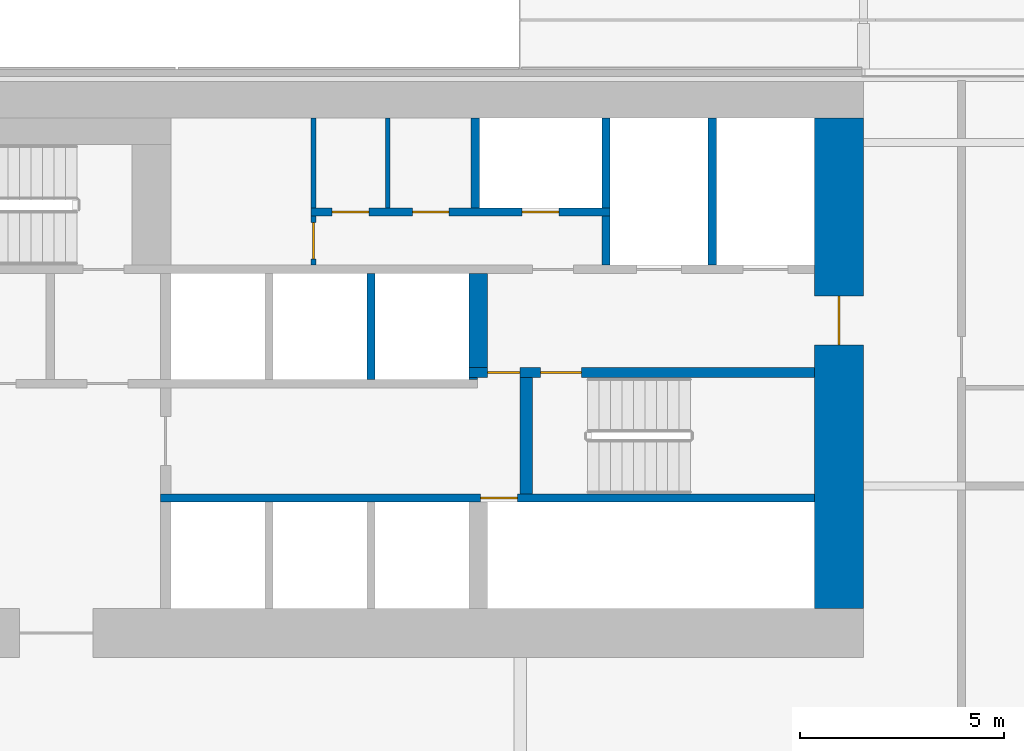
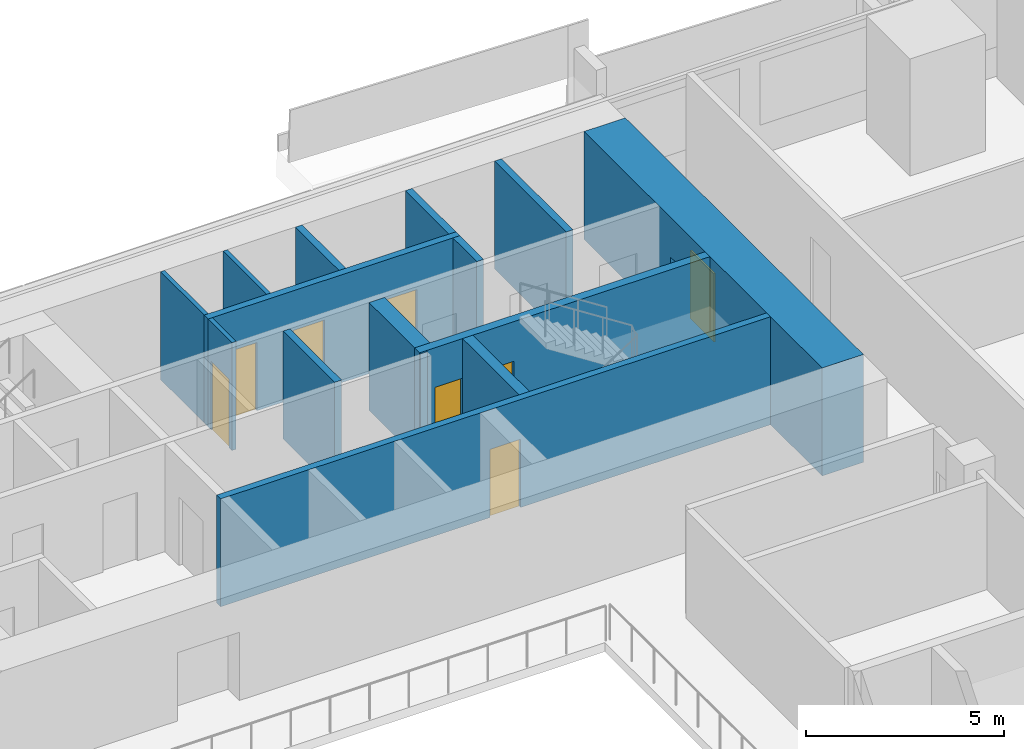
# One storey, part 22 of 29: 15 walls, 8 doors, 8 openings.
"""IFC4 building model written with IfcOpenShell, lengths in metres."""

from ifc_helpers import new_model, si_unit, direction, frame, frame_2d, origin, place, context, subcontext, project, spatial, rectangle, extrude, material, layer, layer_set, type_object, element, fill, save


model = new_model("IFC4")

# Units and contexts
model_context = context("Model", 3, precision=1e-05, world=origin(), true_north=direction((0.0, 1.0)))
body_context = subcontext(model_context, "Body", "Model", "MODEL_VIEW")
ifc_project = project(units=[si_unit("LENGTHUNIT", "METRE"), si_unit("AREAUNIT", "SQUARE_METRE"), si_unit("VOLUMEUNIT", "CUBIC_METRE"), si_unit("PLANEANGLEUNIT", "RADIAN"), si_unit("MASSUNIT", "GRAM", prefix="KILO")], contexts=[model_context])

# Site, building, storey
site_placement = place(None, origin())
site = spatial("IfcSite", under=ifc_project, at=site_placement, CompositionType="ELEMENT")
building_placement = place(site_placement, origin())
building = spatial("IfcBuilding", under=site, at=building_placement, Name="Saffron Gate Tower", CompositionType="ELEMENT")
storey_placement = place(building_placement, frame((0.0, 0.0, 58.800048828125)))
storey = spatial("IfcBuildingStorey", under=building, at=storey_placement, Name="L13", CompositionType="ELEMENT", Elevation=58.800048828125)

# Wall, opening, door
ifc_material_1 = material(Name="Concrete C70", Category="concrete")
ifc_layer_1 = layer(ifc_material_1, 1.199951171875)
ifc_layer_set_1 = layer_set([ifc_layer_1], Name="CW1 RC core wall 1200 C70")
wall_type_1 = type_object("IfcWallType", Name="CW1 RC core wall 1200 C70", PredefinedType="SOLIDWALL", material=ifc_layer_set_1)
wall_1_placement = place(storey_placement, frame((108.0, 62.39990234375, 0.0), z_axis=(0.0, 0.0, 1.0), x_axis=(0.0, 1.0, 0.0)))
wall_1 = element("IfcWall", 1, at=wall_1_placement, inside=storey, type_object=wall_type_1, Name="Wall CW1-L13-4", PredefinedType="SOLIDWALL", context=body_context, shape_type="SweptSolid", body=[
    extrude(rectangle(XDim=12.0, YDim=1.199951171875, at=frame_2d((6.0, 0.0))), origin(), (0.0, 0.0, 1.0), 3.320068359375),
])
opening_1_placement = place(wall_1_placement, frame((6.449951171875, 0.0, 0.0)))
opening_1 = element("IfcOpeningElement", 2, at=opening_1_placement, cuts=wall_1, Name="Opening CR-08", PredefinedType="OPENING", context=body_context, shape_type="SweptSolid", body=[
    extrude(rectangle(XDim=1.199951171875, YDim=2.10009765625, at=frame_2d((0.60009765625, 1.050048828125))), frame((0.0, 0.60986328125, 0.0), z_axis=(0.0, -1.0, 0.0), x_axis=(1.0, 0.0, 0.0)), (0.0, 0.0, 1.0), 1.219970703125),
])
ifc_material_2 = material(Name="Steel fire door set", Category="steel")
door_type_1 = type_object("IfcDoorType", Name="CD7 Core entrance door 1200x2100 EI 120", OperationType="NOTDEFINED", PredefinedType="DOOR", material=ifc_material_2)
door_1_placement = place(opening_1_placement, origin())
door_1 = element("IfcDoor", 3, at=door_1_placement, inside=storey, type_object=door_type_1, Name="DOOR CR-08", OperationType="SINGLE_SWING_RIGHT", OverallHeight=2.10009765625, OverallWidth=1.199951171875, PredefinedType="DOOR", context=body_context, shape_type="SweptSolid", body=[
    extrude(rectangle(XDim=1.199951171875, YDim=2.10009765625, at=frame_2d((0.60009765625, 1.050048828125))), frame((0.0, 0.02490234375, 0.0), z_axis=(0.0, -1.0, 0.0), x_axis=(1.0, 0.0, 0.0)), (0.0, 0.0, 1.0), 0.050048828125),
])
fill(opening_1, door_1)

# Wall, openings, doors
ifc_layer_2 = layer(ifc_material_1, 0.25)
ifc_layer_set_2 = layer_set([ifc_layer_2], Name="CW2 RC core wall 250 C70")
wall_type_2 = type_object("IfcWallType", Name="CW2 RC core wall 250 C70", PredefinedType="SOLIDWALL", material=ifc_layer_set_2)
wall_2_placement = place(storey_placement, frame((98.949951171875, 68.175048828125, 0.0), z_axis=(0.0, 0.0, 1.0), x_axis=(1.0, 0.0, 0.0)))
wall_2 = element("IfcWall", 4, at=wall_2_placement, inside=storey, type_object=wall_type_2, Name="Wall CW2-L13-31", PredefinedType="SOLIDWALL", context=body_context, shape_type="SweptSolid", body=[
    extrude(rectangle(XDim=8.449951171875, YDim=0.25, at=frame_2d((4.22509765625, 0.0))), origin(), (0.0, 0.0, 1.0), 3.320068359375),
])
opening_2_placement = place(wall_2_placement, frame((0.449951171875, 0.0, 0.0)))
opening_2 = element("IfcOpeningElement", 5, at=opening_2_placement, cuts=wall_2, Name="Opening CR-05", PredefinedType="OPENING", context=body_context, shape_type="SweptSolid", body=[
    extrude(rectangle(XDim=0.800048828125, YDim=2.10009765625, at=frame_2d((0.39990234375, 1.050048828125))), frame((0.0, 0.135009765625, 0.0), z_axis=(0.0, -1.0, 0.0), x_axis=(1.0, 0.0, 0.0)), (0.0, 0.0, 1.0), 0.27001953125),
])
opening_3_placement = place(wall_2_placement, frame((1.75, 0.0, 0.0)))
opening_3 = element("IfcOpeningElement", 6, at=opening_3_placement, cuts=wall_2, Name="Opening CR-16", PredefinedType="OPENING", context=body_context, shape_type="SweptSolid", body=[
    extrude(rectangle(XDim=1.0, YDim=2.10009765625, at=frame_2d((0.5, 1.050048828125))), frame((0.0, 0.135009765625, 0.0), z_axis=(0.0, -1.0, 0.0), x_axis=(1.0, 0.0, 0.0)), (0.0, 0.0, 1.0), 0.27001953125),
])
door_type_2 = type_object("IfcDoorType", Name="CD5 Stair door 1000x2100 EI 120", OperationType="NOTDEFINED", PredefinedType="DOOR", material=ifc_material_2)
door_2_placement = place(opening_3_placement, origin())
door_2 = element("IfcDoor", 7, at=door_2_placement, inside=storey, type_object=door_type_2, Name="DOOR CR-16", OperationType="SINGLE_SWING_RIGHT", OverallHeight=2.10009765625, OverallWidth=1.0, PredefinedType="DOOR", context=body_context, shape_type="SweptSolid", body=[
    extrude(rectangle(XDim=1.0, YDim=2.10009765625, at=frame_2d((0.5, 1.050048828125))), frame((0.0, 0.02490234375, 0.0), z_axis=(0.0, -1.0, 0.0), x_axis=(1.0, 0.0, 0.0)), (0.0, 0.0, 1.0), 0.050048828125),
])
fill(opening_3, door_2)
door_type_3 = type_object("IfcDoorType", Name="CD6 Lobby door 800x2100 EI 120", OperationType="NOTDEFINED", PredefinedType="DOOR", material=ifc_material_2)
door_3_placement = place(opening_2_placement, origin())
door_3 = element("IfcDoor", 8, at=door_3_placement, inside=storey, type_object=door_type_3, Name="DOOR CR-05", OperationType="SINGLE_SWING_LEFT", OverallHeight=2.10009765625, OverallWidth=0.800048828125, PredefinedType="DOOR", context=body_context, shape_type="SweptSolid", body=[
    extrude(rectangle(XDim=0.800048828125, YDim=2.10009765625, at=frame_2d((0.39990234375, 1.050048828125))), frame((0.0, 0.02490234375, 0.0), z_axis=(0.0, -1.0, 0.0), x_axis=(1.0, 0.0, 0.0)), (0.0, 0.0, 1.0), 0.050048828125),
])
fill(opening_2, door_3)

# Wall, opening, door
ifc_layer_3 = layer(ifc_material_1, 0.199951171875)
ifc_layer_set_3 = layer_set([ifc_layer_3], Name="CW3 RC core wall 200 C70")
wall_type_3 = type_object("IfcWallType", Name="CW3 RC core wall 200 C70", PredefinedType="SOLIDWALL", material=ifc_layer_set_3)
wall_3_placement = place(storey_placement, frame((91.39990234375, 65.10009765625, 0.0), z_axis=(0.0, 0.0, 1.0), x_axis=(1.0, 0.0, 0.0)))
wall_3 = element("IfcWall", 9, at=wall_3_placement, inside=storey, type_object=wall_type_3, Name="Wall CW3-L13-15", PredefinedType="SOLIDWALL", context=body_context, shape_type="SweptSolid", body=[
    extrude(rectangle(XDim=16.0, YDim=0.199951171875, at=frame_2d((8.0, 0.0))), origin(), (0.0, 0.0, 1.0), 3.320068359375),
])
opening_4_placement = place(wall_3_placement, frame((7.830078125, 0.0, 0.0)))
opening_4 = element("IfcOpeningElement", 10, at=opening_4_placement, cuts=wall_3, Name="Opening CR-48", PredefinedType="OPENING", context=body_context, shape_type="SweptSolid", body=[
    extrude(rectangle(XDim=0.89990234375, YDim=2.10009765625, at=frame_2d((0.449951171875, 1.050048828125))), frame((0.0, 0.10986328125, 0.0), z_axis=(0.0, -1.0, 0.0), x_axis=(1.0, 0.0, 0.0)), (0.0, 0.0, 1.0), 0.219970703125),
])
door_type_4 = type_object("IfcDoorType", Name="CD2 Riser door 900x2100 EI 60", OperationType="NOTDEFINED", PredefinedType="DOOR", material=ifc_material_2)
door_4_placement = place(opening_4_placement, origin())
door_4 = element("IfcDoor", 11, at=door_4_placement, inside=storey, type_object=door_type_4, Name="DOOR CR-48", OperationType="SINGLE_SWING_RIGHT", OverallHeight=2.10009765625, OverallWidth=0.89990234375, PredefinedType="DOOR", context=body_context, shape_type="SweptSolid", body=[
    extrude(rectangle(XDim=0.89990234375, YDim=2.10009765625, at=frame_2d((0.449951171875, 1.050048828125))), frame((0.0, 0.02490234375, 0.0), z_axis=(0.0, -1.0, 0.0), x_axis=(1.0, 0.0, 0.0)), (0.0, 0.0, 1.0), 0.050048828125),
])
fill(opening_4, door_4)

# Walls
wall_4_placement = place(storey_placement, frame((96.550048828125, 68.0, 0.0), z_axis=(0.0, 0.0, 1.0), x_axis=(0.0, 1.0, 0.0)))
element("IfcWall", 12, at=wall_4_placement, inside=storey, type_object=wall_type_3, Name="Wall CW3-L13-28", PredefinedType="SOLIDWALL", context=body_context, shape_type="SweptSolid", body=[
    extrude(rectangle(XDim=2.60009765625, YDim=0.199951171875, at=frame_2d((1.300048828125, 0.0))), origin(), (0.0, 0.0, 1.0), 3.320068359375),
])
wall_5_placement = place(storey_placement, frame((102.300048828125, 70.800048828125, 0.0), z_axis=(0.0, 0.0, 1.0), x_axis=(0.0, 1.0, 0.0)))
element("IfcWall", 13, at=wall_5_placement, inside=storey, type_object=wall_type_3, Name="Wall CW3-L13-41", PredefinedType="SOLIDWALL", context=body_context, shape_type="SweptSolid", body=[
    extrude(rectangle(XDim=1.199951171875, YDim=0.199951171875, at=frame_2d((0.60009765625, 0.0))), origin(), (0.0, 0.0, 1.0), 3.320068359375),
])
wall_6_placement = place(storey_placement, frame((104.89990234375, 70.800048828125, 0.0), z_axis=(0.0, 0.0, 1.0), x_axis=(0.0, 1.0, 0.0)))
element("IfcWall", 14, at=wall_6_placement, inside=storey, type_object=wall_type_3, Name="Wall CW3-L13-42", PredefinedType="SOLIDWALL", context=body_context, shape_type="SweptSolid", body=[
    extrude(rectangle(XDim=3.599853515625, YDim=0.199951171875, at=frame_2d((1.7998046875, 0.0))), origin(), (0.0, 0.0, 1.0), 3.320068359375),
])

# Wall, openings, doors
wall_7_placement = place(storey_placement, frame((95.080078125, 72.10009765625, 0.0), z_axis=(0.0, 0.0, 1.0), x_axis=(1.0, 0.0, 0.0)))
wall_7 = element("IfcWall", 15, at=wall_7_placement, inside=storey, type_object=wall_type_3, Name="Wall CW3-L13-44", PredefinedType="SOLIDWALL", context=body_context, shape_type="SweptSolid", body=[
    extrude(rectangle(XDim=7.31982421875, YDim=0.199951171875, at=frame_2d((3.659912109375, 0.0))), origin(), (0.0, 0.0, 1.0), 3.320068359375),
])
opening_5_placement = place(wall_7_placement, frame((0.52001953125, 0.0, 0.0)))
opening_5 = element("IfcOpeningElement", 16, at=opening_5_placement, cuts=wall_7, Name="Opening CR-50", PredefinedType="OPENING", context=body_context, shape_type="SweptSolid", body=[
    extrude(rectangle(XDim=0.89990234375, YDim=2.10009765625, at=frame_2d((0.449951171875, 1.050048828125))), frame((0.0, 0.10986328125, 0.0), z_axis=(0.0, -1.0, 0.0), x_axis=(1.0, 0.0, 0.0)), (0.0, 0.0, 1.0), 0.219970703125),
])
opening_6_placement = place(wall_7_placement, frame((2.47998046875, 0.0, 0.0)))
opening_6 = element("IfcOpeningElement", 17, at=opening_6_placement, cuts=wall_7, Name="Opening CR-53", PredefinedType="OPENING", context=body_context, shape_type="SweptSolid", body=[
    extrude(rectangle(XDim=0.89990234375, YDim=2.10009765625, at=frame_2d((0.449951171875, 1.050048828125))), frame((0.0, 0.10986328125, 0.0), z_axis=(0.0, -1.0, 0.0), x_axis=(1.0, 0.0, 0.0)), (0.0, 0.0, 1.0), 0.219970703125),
])
opening_7_placement = place(wall_7_placement, frame((5.169921875, 0.0, 0.0)))
opening_7 = element("IfcOpeningElement", 18, at=opening_7_placement, cuts=wall_7, Name="Opening CR-70", PredefinedType="OPENING", context=body_context, shape_type="SweptSolid", body=[
    extrude(rectangle(XDim=0.89990234375, YDim=2.10009765625, at=frame_2d((0.449951171875, 1.050048828125))), frame((0.0, 0.10986328125, 0.0), z_axis=(0.0, -1.0, 0.0), x_axis=(1.0, 0.0, 0.0)), (0.0, 0.0, 1.0), 0.219970703125),
])
door_5_placement = place(opening_7_placement, origin())
door_5 = element("IfcDoor", 19, at=door_5_placement, inside=storey, type_object=door_type_4, Name="DOOR CR-70", OperationType="SINGLE_SWING_LEFT", OverallHeight=2.10009765625, OverallWidth=0.89990234375, PredefinedType="DOOR", context=body_context, shape_type="SweptSolid", body=[
    extrude(rectangle(XDim=0.89990234375, YDim=2.10009765625, at=frame_2d((0.449951171875, 1.050048828125))), frame((0.0, 0.02490234375, 0.0), z_axis=(0.0, -1.0, 0.0), x_axis=(1.0, 0.0, 0.0)), (0.0, 0.0, 1.0), 0.050048828125),
])
fill(opening_7, door_5)
door_type_5 = type_object("IfcDoorType", Name="CD9 Room door 900x2100 EI 60", OperationType="NOTDEFINED", PredefinedType="DOOR", material=ifc_material_2)
door_6_placement = place(opening_5_placement, origin())
door_6 = element("IfcDoor", 20, at=door_6_placement, inside=storey, type_object=door_type_5, Name="DOOR CR-50", OperationType="SINGLE_SWING_LEFT", OverallHeight=2.10009765625, OverallWidth=0.89990234375, PredefinedType="DOOR", context=body_context, shape_type="SweptSolid", body=[
    extrude(rectangle(XDim=0.89990234375, YDim=2.10009765625, at=frame_2d((0.449951171875, 1.050048828125))), frame((0.0, 0.02490234375, 0.0), z_axis=(0.0, -1.0, 0.0), x_axis=(1.0, 0.0, 0.0)), (0.0, 0.0, 1.0), 0.050048828125),
])
fill(opening_5, door_6)
door_7_placement = place(opening_6_placement, origin())
door_7 = element("IfcDoor", 21, at=door_7_placement, inside=storey, type_object=door_type_5, Name="DOOR CR-53", OperationType="SINGLE_SWING_LEFT", OverallHeight=2.10009765625, OverallWidth=0.89990234375, PredefinedType="DOOR", context=body_context, shape_type="SweptSolid", body=[
    extrude(rectangle(XDim=0.89990234375, YDim=2.10009765625, at=frame_2d((0.449951171875, 1.050048828125))), frame((0.0, 0.02490234375, 0.0), z_axis=(0.0, -1.0, 0.0), x_axis=(1.0, 0.0, 0.0)), (0.0, 0.0, 1.0), 0.050048828125),
])
fill(opening_6, door_7)

# Walls
for number, where, z_axis, x_axis, name in (
    (22, (99.10009765625, 72.199951171875, 0.0), (0.0, 0.0, 1.0), (0.0, 1.0, 0.0), "Wall CW3-L13-51"),
    (23, (102.300048828125, 72.199951171875, 0.0), (0.0, 0.0, 1.0), (0.0, 1.0, 0.0), "Wall CW3-L13-52"),
):
    element("IfcWall", number, at=place(storey_placement, frame(where, z_axis=z_axis, x_axis=x_axis)), inside=storey, type_object=wall_type_3, Name=name, PredefinedType="SOLIDWALL", context=body_context, shape_type="SweptSolid", body=[
        extrude(rectangle(XDim=2.199951171875, YDim=0.199951171875, at=frame_2d((1.10009765625, 0.0))), origin(), (0.0, 0.0, 1.0), 3.320068359375),
    ])
ifc_layer_4 = layer(ifc_material_1, 0.449951171875)
ifc_layer_set_4 = layer_set([ifc_layer_4], Name="CW4 RC core wall 450 C70")
wall_type_4 = type_object("IfcWallType", Name="CW4 RC core wall 450 C70", PredefinedType="SOLIDWALL", material=ifc_layer_set_4)
wall_8_placement = place(storey_placement, frame((99.175048828125, 68.300048828125, 0.0), z_axis=(0.0, 0.0, 1.0), x_axis=(0.0, 1.0, 0.0)))
element("IfcWall", 24, at=wall_8_placement, inside=storey, type_object=wall_type_4, Name="Wall CW4-L13-33", PredefinedType="SOLIDWALL", context=body_context, shape_type="SweptSolid", body=[
    extrude(rectangle(XDim=2.300048828125, YDim=0.449951171875, at=frame_2d((1.14990234375, 0.0))), origin(), (0.0, 0.0, 1.0), 3.320068359375),
])
ifc_layer_5 = layer(ifc_material_1, 0.300048828125)
ifc_layer_set_5 = layer_set([ifc_layer_5], Name="CW5 RC core wall 300 C70")
wall_type_5 = type_object("IfcWallType", Name="CW5 RC core wall 300 C70", PredefinedType="SOLIDWALL", material=ifc_layer_set_5)
wall_9_placement = place(storey_placement, frame((100.35009765625, 65.199951171875, 0.0), z_axis=(0.0, 0.0, 1.0), x_axis=(0.0, 1.0, 0.0)))
element("IfcWall", 25, at=wall_9_placement, inside=storey, type_object=wall_type_5, Name="Wall CW5-L13-19", PredefinedType="SOLIDWALL", context=body_context, shape_type="SweptSolid", body=[
    extrude(rectangle(XDim=2.85009765625, YDim=0.300048828125, at=frame_2d((1.425048828125, 0.0))), origin(), (0.0, 0.0, 1.0), 3.320068359375),
])
ifc_layer_6 = layer(ifc_material_1, 0.050048828125)
ifc_layer_set_6 = layer_set([ifc_layer_6], Name="CW6 RC core wall 50 C70")
wall_type_6 = type_object("IfcWallType", Name="CW6 RC core wall 50 C70", PredefinedType="SOLIDWALL", material=ifc_layer_set_6)
wall_10_placement = place(storey_placement, frame((98.949951171875, 68.02490234375, 0.0), z_axis=(0.0, 0.0, 1.0), x_axis=(1.0, 0.0, 0.0)))
element("IfcWall", 26, at=wall_10_placement, inside=storey, type_object=wall_type_6, Name="Wall CW6-L13-29", PredefinedType="SOLIDWALL", context=body_context, shape_type="SweptSolid", body=[
    extrude(rectangle(XDim=0.199951171875, YDim=0.050048828125, at=frame_2d((0.10009765625, 0.0))), origin(), (0.0, 0.0, 1.0), 3.320068359375),
])

# Wall, opening, door
ifc_material_3 = material(Name="Gypsum board partition on steel studs", Category="steel")
ifc_layer_7 = layer(ifc_material_3, 0.1201171875)
ifc_layer_set_7 = layer_set([ifc_layer_7], Name="CW8 Core partition 120")
wall_type_7 = type_object("IfcWallType", Name="CW8 Core partition 120", PredefinedType="PARTITIONING", material=ifc_layer_set_7)
wall_11_placement = place(storey_placement, frame((95.139892578125, 70.800048828125, 0.0), z_axis=(0.0, 0.0, 1.0), x_axis=(0.0, 1.0, 0.0)))
wall_11 = element("IfcWall", 27, at=wall_11_placement, inside=storey, type_object=wall_type_7, Name="Wall CW8-L13-40", PredefinedType="PARTITIONING", context=body_context, shape_type="SweptSolid", body=[
    extrude(rectangle(XDim=1.199951171875, YDim=0.1201171875, at=frame_2d((0.60009765625, 0.0))), origin(), (0.0, 0.0, 1.0), 3.320068359375),
])
opening_8_placement = place(wall_11_placement, frame((0.14990234375, 0.0, 0.0)))
opening_8 = element("IfcOpeningElement", 28, at=opening_8_placement, cuts=wall_11, Name="Opening CR-54", PredefinedType="OPENING", context=body_context, shape_type="SweptSolid", body=[
    extrude(rectangle(XDim=0.89990234375, YDim=2.10009765625, at=frame_2d((0.449951171875, 1.050048828125))), frame((0.0, 0.070068359375, 0.0), z_axis=(0.0, -1.0, 0.0), x_axis=(1.0, 0.0, 0.0)), (0.0, 0.0, 1.0), 0.14013671875),
])
door_8_placement = place(opening_8_placement, origin())
door_8 = element("IfcDoor", 29, at=door_8_placement, inside=storey, type_object=door_type_5, Name="DOOR CR-54", OperationType="SINGLE_SWING_LEFT", OverallHeight=2.10009765625, OverallWidth=0.89990234375, PredefinedType="DOOR", context=body_context, shape_type="SweptSolid", body=[
    extrude(rectangle(XDim=0.89990234375, YDim=2.10009765625, at=frame_2d((0.449951171875, 1.050048828125))), frame((0.0, 0.02490234375, 0.0), z_axis=(0.0, -1.0, 0.0), x_axis=(1.0, 0.0, 0.0)), (0.0, 0.0, 1.0), 0.050048828125),
])
fill(opening_8, door_8)

# Walls
for number, where, z_axis, x_axis, name in (
    (30, (95.139892578125, 72.199951171875, 0.0), (0.0, 0.0, 1.0), (0.0, 1.0, 0.0), "Wall CW8-L13-49"),
    (31, (96.9599609375, 72.199951171875, 0.0), (0.0, 0.0, 1.0), (0.0, 1.0, 0.0), "Wall CW8-L13-50"),
):
    element("IfcWall", number, at=place(storey_placement, frame(where, z_axis=z_axis, x_axis=x_axis)), inside=storey, type_object=wall_type_7, Name=name, PredefinedType="PARTITIONING", context=body_context, shape_type="SweptSolid", body=[
        extrude(rectangle(XDim=2.199951171875, YDim=0.1201171875, at=frame_2d((1.10009765625, 0.0))), origin(), (0.0, 0.0, 1.0), 3.320068359375),
    ])

save(model, "model.ifc")
